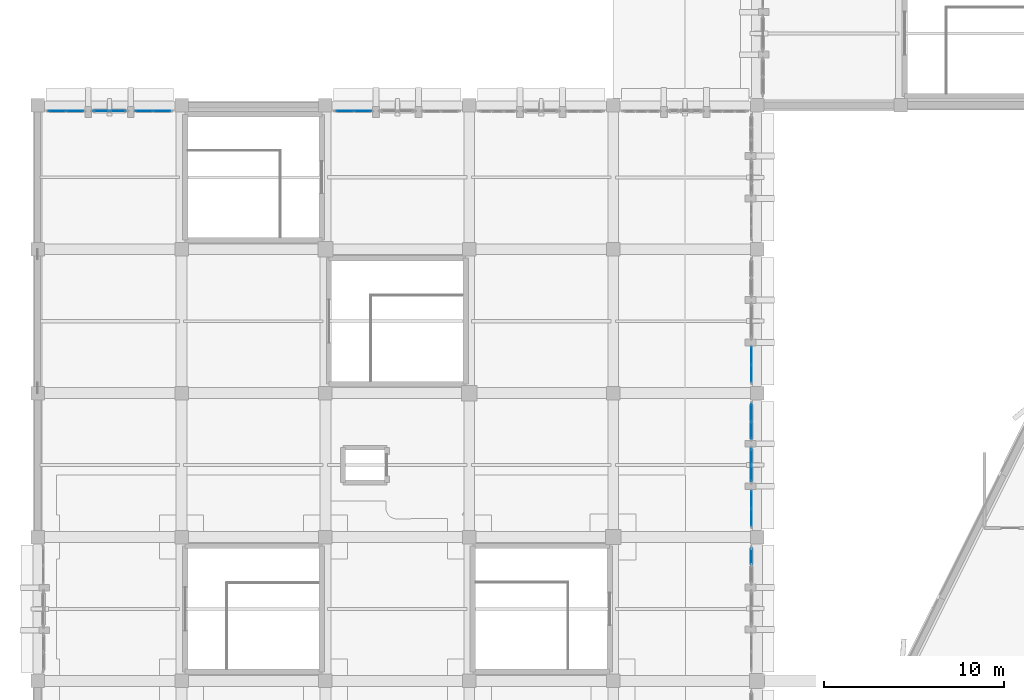
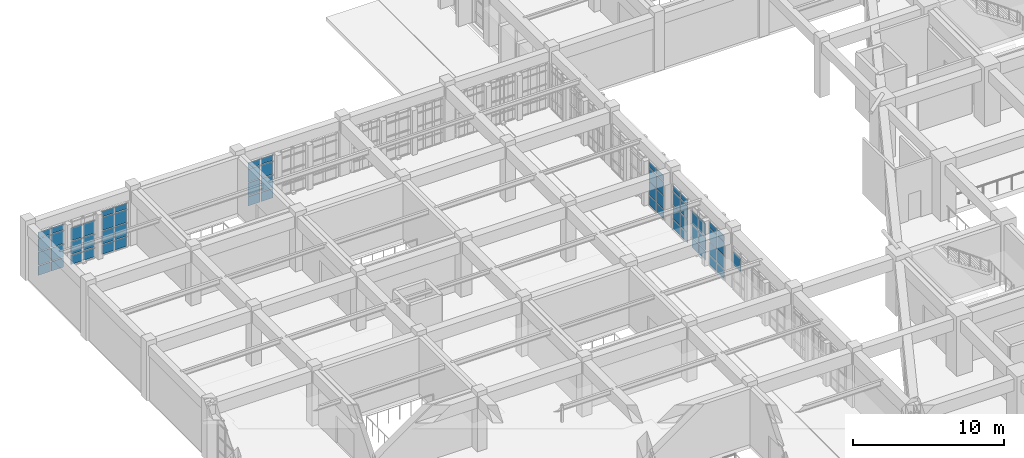
# One storey, part 100 of 155: 61 plates, 9 elements without a shape of their own.
"""IFC4 building model written with IfcOpenShell, lengths in metres."""

import ifcopenshell
import ifcopenshell.guid

model = None  # the IFC model being written
_history = None  # IfcOwnerHistory: only IFC2X3 demands one
_inside = {}  # id of a spatial element -> (the spatial element, [elements in it])
_under = {}  # id of a project, library or spatial element -> (it, [spatial elements below it])
_declared = {}  # id of a project -> (the project, [libraries it declares])
_typed = {}  # id of a type object -> (the type object, [elements of that type])
_made_of = {}  # id of a material, layer set ... -> (it, [elements and type objects made of it])


def new_model(schema):
    """Start an empty IFC model of exactly this schema.

    Asked for "IFC4X3", IfcOpenShell would pick the latest addendum, in which some entities
    have other attributes; the version numbers below select the first issue.
    IFC2X3 requires an IfcOwnerHistory on every rooted entity: one is made here for all.
    """
    global model, _history
    if schema == "IFC4X3":
        model = ifcopenshell.file(schema_version=(4, 3, 0, 0))
    else:
        model = ifcopenshell.file(schema=schema)
    _inside.clear()
    _under.clear()
    _declared.clear()
    _typed.clear()
    _made_of.clear()
    _history = None
    if model.schema == "IFC2X3":
        org = make("IfcOrganization", Name="unknown")
        user = make(
            "IfcPersonAndOrganization",
            ThePerson=make("IfcPerson", FamilyName="unknown"),
            TheOrganization=org,
        )
        app = make(
            "IfcApplication",
            ApplicationDeveloper=org,
            Version="unknown",
            ApplicationFullName="unknown",
            ApplicationIdentifier="unknown",
        )
        _history = make(
            "IfcOwnerHistory",
            OwningUser=user,
            OwningApplication=app,
            ChangeAction="ADDED",
            CreationDate=0,
        )
    return model


def make(cls, **values):
    """One entity of the class cls with the attributes given. An attribute that is None is left unset."""
    return model.create_entity(
        cls, **{name: value for name, value in values.items() if value is not None}
    )


def rooted(cls, **values):
    """An entity with a GlobalId (a new one), such as an element, a storey or a relation."""
    return make(cls, GlobalId=ifcopenshell.guid.new(), OwnerHistory=_history, **values)


def si_unit(unit_type, name, prefix=None):
    """IfcSIUnit, for example si_unit("LENGTHUNIT", "METRE", prefix="MILLI")."""
    return make("IfcSIUnit", UnitType=unit_type, Prefix=prefix, Name=name)


def assignment(units):
    """IfcUnitAssignment: the units of a project."""
    return None if units is None else make("IfcUnitAssignment", Units=units)


def point(xyz):
    """IfcCartesianPoint."""
    return None if xyz is None else make("IfcCartesianPoint", Coordinates=xyz)


def direction(xyz):
    """IfcDirection."""
    return None if xyz is None else make("IfcDirection", DirectionRatios=xyz)


def frame(location, z_axis=None, x_axis=None):
    """IfcAxis2Placement3D, a coordinate frame: its origin and axes. An axis left out is left unset."""
    return make(
        "IfcAxis2Placement3D",
        Location=point(location),
        Axis=direction(z_axis),
        RefDirection=direction(x_axis),
    )


def frame_2d(location, x_axis=None):
    """IfcAxis2Placement2D, a coordinate frame in the plane: its origin and x axis."""
    return make(
        "IfcAxis2Placement2D", Location=point(location), RefDirection=direction(x_axis)
    )


def origin():
    """The frame at (0, 0, 0) with its axes left unset."""
    return frame((0.0, 0.0, 0.0))


def origin_2d():
    """The frame at (0, 0) in the plane with its x axis left unset."""
    return frame_2d((0.0, 0.0))


def place(relative_to, where):
    """IfcLocalPlacement: puts the frame where relative to a parent placement (None: the world)."""
    return make(
        "IfcLocalPlacement", PlacementRelTo=relative_to, RelativePlacement=where
    )


def context(
    kind, dimensions, precision=None, world=None, true_north=None, identifier=None
):
    """IfcGeometricRepresentationContext, for example the 3D "Model" context."""
    return make(
        "IfcGeometricRepresentationContext",
        ContextIdentifier=identifier,
        ContextType=kind,
        CoordinateSpaceDimension=dimensions,
        Precision=precision,
        WorldCoordinateSystem=world,
        TrueNorth=true_north,
    )


def subcontext(parent, identifier, kind, view, scale=None):
    """IfcGeometricRepresentationSubContext, for example "Body" below "Model"."""
    return make(
        "IfcGeometricRepresentationSubContext",
        ContextIdentifier=identifier,
        ContextType=kind,
        ParentContext=parent,
        TargetScale=scale,
        TargetView=view,
    )


def project(units=None, contexts=None):
    """IfcProject with its units and contexts."""
    return rooted(
        "IfcProject",
        Name="project",
        RepresentationContexts=contexts,
        UnitsInContext=assignment(units),
    )


def spatial(cls, under=None, at=None, **own):
    """A site, building, storey or space (cls), placed at a placement, below another one or the project."""
    s = rooted(cls, ObjectPlacement=at, **own)
    if under is not None:
        _under.setdefault(under.id(), (under, []))[1].append(s)
    return s


def profile(cls, at=None, kind="AREA", **sizes):
    """A parametric profile (cls). Its sizes go by their IFC names, for example OverallWidth=200.0."""
    return make(cls, ProfileType=kind, Position=at, **sizes)


def rectangle(**sizes):
    """IfcRectangleProfileDef."""
    return profile("IfcRectangleProfileDef", **sizes)


def extrude(swept, where, along, depth):
    """IfcExtrudedAreaSolid: the profile swept, set in the frame where, extruded along a direction by depth."""
    return make(
        "IfcExtrudedAreaSolid",
        SweptArea=swept,
        Position=where,
        ExtrudedDirection=direction(along),
        Depth=depth,
    )


def shape(context_of_items, identifier, shape_type, items):
    """IfcShapeRepresentation: the items that make up one representation, for example the "Body"."""
    return make(
        "IfcShapeRepresentation",
        ContextOfItems=context_of_items,
        RepresentationIdentifier=identifier,
        RepresentationType=shape_type,
        Items=items,
    )


def material(Name=None, Category=None):
    """IfcMaterial."""
    return make("IfcMaterial", Name=Name, Category=Category)


def layer(
    of_material, thickness, ventilated=None, Name=None, Category=None, Priority=None
):
    """IfcMaterialLayer: one layer of a wall or slab, of a material (None: an air gap)."""
    return make(
        "IfcMaterialLayer",
        Material=of_material,
        LayerThickness=thickness,
        IsVentilated=ventilated,
        Name=Name,
        Category=Category,
        Priority=Priority,
    )


def layer_set(layers, Name=None):
    """IfcMaterialLayerSet."""
    return make("IfcMaterialLayerSet", MaterialLayers=layers, LayerSetName=Name)


def made_of(thing, what):
    """Note that an element or type object is made of a material, layer set ...; save() writes the relation."""
    if what is not None:
        _made_of.setdefault(what.id(), (what, []))[1].append(thing)
    return thing


def type_object(cls, material=None, **own):
    """A type object (cls), such as IfcWallType, which elements share."""
    return made_of(rooted(cls, **own), material)


def element(
    cls,
    number,
    at=None,
    inside=None,
    cuts=None,
    type_object=None,
    material=None,
    context=None,
    identifier="Body",
    shape_type=None,
    held_by="IfcProductDefinitionShape",
    body=None,
    shapes=None,
    **own,
):
    """One element of the class cls, such as IfcWall. Its Tag is "e" and its number.

    at: its placement. inside: the storey or other place that contains it. cuts: it is an
    opening in that element (IfcRelVoidsElement). A single representation is given by context,
    identifier, shape_type and body (its items); several are given by shapes. held_by: the class
    of the entity that holds the representations. save() writes the other relations.
    """
    e = rooted(cls, Tag="e%d" % number, ObjectPlacement=at, **own)
    if body is not None:
        shapes = [shape(context, identifier, shape_type, body)]
    if shapes is not None:
        e.Representation = make(held_by, Representations=shapes)
    if inside is not None:
        _inside.setdefault(inside.id(), (inside, []))[1].append(e)
    if cuts is not None:
        rooted(
            "IfcRelVoidsElement", RelatingBuildingElement=cuts, RelatedOpeningElement=e
        )
    if type_object is not None:
        _typed.setdefault(type_object.id(), (type_object, []))[1].append(e)
    return made_of(e, material)


def aggregate(whole, parts):
    """IfcRelAggregates: a whole, such as a stair, and the parts it consists of."""
    return rooted("IfcRelAggregates", RelatingObject=whole, RelatedObjects=parts)


def save(model, path):
    """Write the relations noted so far, then the file.

    IfcRelAggregates (storeys below a building ...), IfcRelContainedInSpatialStructure (elements
    in a storey), IfcRelDefinesByType, IfcRelAssociatesMaterial and IfcRelDeclares: one each for
    every whole, place, type object, material and project.
    """
    for whole, parts in _under.values():
        aggregate(whole, parts)
    for where, things in _inside.values():
        rooted(
            "IfcRelContainedInSpatialStructure",
            RelatedElements=things,
            RelatingStructure=where,
        )
    for kind, things in _typed.values():
        rooted("IfcRelDefinesByType", RelatedObjects=things, RelatingType=kind)
    for what, things in _made_of.values():
        rooted("IfcRelAssociatesMaterial", RelatedObjects=things, RelatingMaterial=what)
    for by, libraries in _declared.values():
        rooted("IfcRelDeclares", RelatingContext=by, RelatedDefinitions=libraries)
    model.write(path)


model = new_model("IFC4")

# Units and contexts
model_context = context("Model", 3, precision=1e-05, world=origin(), true_north=direction((0.0, 1.0)))
body_context = subcontext(model_context, "Body", "Model", "MODEL_VIEW")
ifc_project = project(units=[si_unit("LENGTHUNIT", "METRE"), si_unit("AREAUNIT", "SQUARE_METRE"), si_unit("VOLUMEUNIT", "CUBIC_METRE"), si_unit("PLANEANGLEUNIT", "RADIAN"), si_unit("MASSUNIT", "GRAM", prefix="KILO")], contexts=[model_context])

# Site, building, storey
site_placement = place(None, origin())
site = spatial("IfcSite", under=ifc_project, at=site_placement, CompositionType="ELEMENT")
building_placement = place(site_placement, origin())
building = spatial("IfcBuilding", under=site, at=building_placement, Name="Tazarka Park Arena", CompositionType="ELEMENT")
storey_placement = place(building_placement, frame((0.0, 0.0, 5.39990234375)))
storey = spatial("IfcBuildingStorey", under=building, at=storey_placement, Name="L01", CompositionType="ELEMENT", Elevation=5.39990234375)

# Curtain wall, plates
ifc_material_1 = material(Name="Aluminium and low-e glass", Category="aluminium")
ifc_layer_1 = layer(ifc_material_1, 0.179931640625, Name="Aluminium and low-e glass")
ifc_layer_set_1 = layer_set([ifc_layer_1], Name="Aluminium and low-e glass")
curtain_wall_type_1 = type_object("IfcCurtainWallType", Name="CW-27", PredefinedType="NOTDEFINED", material=ifc_layer_set_1)
curtain_wall_1_placement = place(storey_placement, origin())
curtain_wall_1 = element("IfcCurtainWall", 1, at=curtain_wall_1_placement, inside=storey, type_object=curtain_wall_type_1, Name="Curtain Wall CWA-L01-117", PredefinedType="NOTDEFINED")
ifc_material_2 = material(Name="Double low-e insulated glazing", Category="glass")
ifc_layer_2 = layer(ifc_material_2, 0.028076171875, Name="Double low-e insulated glazing")
ifc_layer_set_2 = layer_set([ifc_layer_2], Name="Double low-e insulated glazing")
plate_type_1 = type_object("IfcPlateType", Name="CWP-01", PredefinedType="CURTAIN_PANEL", material=ifc_layer_set_2)
plate_1_placement = place(storey_placement, frame((39.679931640625, 90.07861328125, 0.065185546875), z_axis=(0.0, 0.0, 1.0), x_axis=(0.0, -1.0, 0.0)))
plate_1 = element("IfcPlate", 2, at=plate_1_placement, type_object=plate_type_1, Name="CW-27 panel 1.1", PredefinedType="CURTAIN_PANEL", context=body_context, shape_type="SweptSolid", body=[
    extrude(rectangle(XDim=0.92919921875, YDim=0.028076171875, at=origin_2d()), origin(), (0.0, 0.0, 1.0), 0.75244140625),
])
plate_2_placement = place(storey_placement, frame((39.679931640625, 90.07861328125, 0.8828125), z_axis=(0.0, 0.0, 1.0), x_axis=(0.0, -1.0, 0.0)))
plate_2 = element("IfcPlate", 3, at=plate_2_placement, type_object=plate_type_1, Name="CW-27 panel 1.2", PredefinedType="CURTAIN_PANEL", context=body_context, shape_type="SweptSolid", body=[
    extrude(rectangle(XDim=0.92919921875, YDim=0.028076171875, at=origin_2d()), origin(), (0.0, 0.0, 1.0), 1.034912109375),
])
plate_3_placement = place(storey_placement, frame((39.679931640625, 90.07861328125, 1.982421875), z_axis=(0.0, 0.0, 1.0), x_axis=(0.0, -1.0, 0.0)))
plate_3 = element("IfcPlate", 4, at=plate_3_placement, type_object=plate_type_1, Name="CW-27 panel 1.3", PredefinedType="CURTAIN_PANEL", context=body_context, shape_type="SweptSolid", body=[
    extrude(rectangle(XDim=0.92919921875, YDim=0.028076171875, at=origin_2d()), origin(), (0.0, 0.0, 1.0), 1.034912109375),
])
plate_4_placement = place(storey_placement, frame((39.679931640625, 90.07861328125, 3.08251953125), z_axis=(0.0, 0.0, 1.0), x_axis=(0.0, -1.0, 0.0)))
plate_4 = element("IfcPlate", 5, at=plate_4_placement, type_object=plate_type_1, Name="CW-27 panel 1.4", PredefinedType="CURTAIN_PANEL", context=body_context, shape_type="SweptSolid", body=[
    extrude(rectangle(XDim=0.92919921875, YDim=0.028076171875, at=origin_2d()), origin(), (0.0, 0.0, 1.0), 0.452392578125),
])
plate_5_placement = place(storey_placement, frame((39.679931640625, 89.08447265625, 0.065185546875), z_axis=(0.0, 0.0, 1.0), x_axis=(0.0, -1.0, 0.0)))
plate_5 = element("IfcPlate", 6, at=plate_5_placement, type_object=plate_type_1, Name="CW-27 panel 2.1", PredefinedType="CURTAIN_PANEL", context=body_context, shape_type="SweptSolid", body=[
    extrude(rectangle(XDim=0.92919921875, YDim=0.028076171875, at=origin_2d()), origin(), (0.0, 0.0, 1.0), 0.75244140625),
])
plate_6_placement = place(storey_placement, frame((39.679931640625, 89.08447265625, 0.8828125), z_axis=(0.0, 0.0, 1.0), x_axis=(0.0, -1.0, 0.0)))
plate_6 = element("IfcPlate", 7, at=plate_6_placement, type_object=plate_type_1, Name="CW-27 panel 2.2", PredefinedType="CURTAIN_PANEL", context=body_context, shape_type="SweptSolid", body=[
    extrude(rectangle(XDim=0.92919921875, YDim=0.028076171875, at=origin_2d()), origin(), (0.0, 0.0, 1.0), 1.034912109375),
])
plate_7_placement = place(storey_placement, frame((39.679931640625, 89.08447265625, 1.982421875), z_axis=(0.0, 0.0, 1.0), x_axis=(0.0, -1.0, 0.0)))
plate_7 = element("IfcPlate", 8, at=plate_7_placement, type_object=plate_type_1, Name="CW-27 panel 2.3", PredefinedType="CURTAIN_PANEL", context=body_context, shape_type="SweptSolid", body=[
    extrude(rectangle(XDim=0.92919921875, YDim=0.028076171875, at=origin_2d()), origin(), (0.0, 0.0, 1.0), 1.034912109375),
])
plate_8_placement = place(storey_placement, frame((39.679931640625, 89.08447265625, 3.08251953125), z_axis=(0.0, 0.0, 1.0), x_axis=(0.0, -1.0, 0.0)))
plate_8 = element("IfcPlate", 9, at=plate_8_placement, type_object=plate_type_1, Name="CW-27 panel 2.4", PredefinedType="CURTAIN_PANEL", context=body_context, shape_type="SweptSolid", body=[
    extrude(rectangle(XDim=0.92919921875, YDim=0.028076171875, at=origin_2d()), origin(), (0.0, 0.0, 1.0), 0.452392578125),
])
aggregate(curtain_wall_1, [plate_1, plate_2, plate_3, plate_4, plate_5, plate_6, plate_7, plate_8])

ifc_material_3 = material(Name="Aluminium and low-e glass", Category="aluminium")
ifc_layer_3 = layer(ifc_material_3, 0.179931640625, Name="Aluminium and low-e glass")
ifc_layer_set_3 = layer_set([ifc_layer_3], Name="Aluminium and low-e glass")
curtain_wall_type_2 = type_object("IfcCurtainWallType", Name="CW-30", PredefinedType="NOTDEFINED", material=ifc_layer_set_3)
curtain_wall_2_placement = place(storey_placement, origin())
curtain_wall_2 = element("IfcCurtainWall", 10, at=curtain_wall_2_placement, inside=storey, type_object=curtain_wall_type_2, Name="Curtain Wall CWA-L01-120", PredefinedType="NOTDEFINED")
plate_9_placement = place(storey_placement, frame((39.679931640625, 98.07861328125, 0.065185546875), z_axis=(0.0, 0.0, 1.0), x_axis=(0.0, -1.0, 0.0)))
plate_9 = element("IfcPlate", 11, at=plate_9_placement, type_object=plate_type_1, Name="CW-30 panel 1.1", PredefinedType="CURTAIN_PANEL", context=body_context, shape_type="SweptSolid", body=[
    extrude(rectangle(XDim=0.92919921875, YDim=0.028076171875, at=origin_2d()), origin(), (0.0, 0.0, 1.0), 0.75244140625),
])
plate_10_placement = place(storey_placement, frame((39.679931640625, 98.07861328125, 0.8828125), z_axis=(0.0, 0.0, 1.0), x_axis=(0.0, -1.0, 0.0)))
plate_10 = element("IfcPlate", 12, at=plate_10_placement, type_object=plate_type_1, Name="CW-30 panel 1.2", PredefinedType="CURTAIN_PANEL", context=body_context, shape_type="SweptSolid", body=[
    extrude(rectangle(XDim=0.92919921875, YDim=0.028076171875, at=origin_2d()), origin(), (0.0, 0.0, 1.0), 1.034912109375),
])
plate_11_placement = place(storey_placement, frame((39.679931640625, 98.07861328125, 1.982421875), z_axis=(0.0, 0.0, 1.0), x_axis=(0.0, -1.0, 0.0)))
plate_11 = element("IfcPlate", 13, at=plate_11_placement, type_object=plate_type_1, Name="CW-30 panel 1.3", PredefinedType="CURTAIN_PANEL", context=body_context, shape_type="SweptSolid", body=[
    extrude(rectangle(XDim=0.92919921875, YDim=0.028076171875, at=origin_2d()), origin(), (0.0, 0.0, 1.0), 1.034912109375),
])
plate_12_placement = place(storey_placement, frame((39.679931640625, 98.07861328125, 3.08251953125), z_axis=(0.0, 0.0, 1.0), x_axis=(0.0, -1.0, 0.0)))
plate_12 = element("IfcPlate", 14, at=plate_12_placement, type_object=plate_type_1, Name="CW-30 panel 1.4", PredefinedType="CURTAIN_PANEL", context=body_context, shape_type="SweptSolid", body=[
    extrude(rectangle(XDim=0.92919921875, YDim=0.028076171875, at=origin_2d()), origin(), (0.0, 0.0, 1.0), 0.452392578125),
])
plate_13_placement = place(storey_placement, frame((39.679931640625, 97.08447265625, 0.065185546875), z_axis=(0.0, 0.0, 1.0), x_axis=(0.0, -1.0, 0.0)))
plate_13 = element("IfcPlate", 15, at=plate_13_placement, type_object=plate_type_1, Name="CW-30 panel 2.1", PredefinedType="CURTAIN_PANEL", context=body_context, shape_type="SweptSolid", body=[
    extrude(rectangle(XDim=0.92919921875, YDim=0.028076171875, at=origin_2d()), origin(), (0.0, 0.0, 1.0), 0.75244140625),
])
plate_14_placement = place(storey_placement, frame((39.679931640625, 97.08447265625, 0.8828125), z_axis=(0.0, 0.0, 1.0), x_axis=(0.0, -1.0, 0.0)))
plate_14 = element("IfcPlate", 16, at=plate_14_placement, type_object=plate_type_1, Name="CW-30 panel 2.2", PredefinedType="CURTAIN_PANEL", context=body_context, shape_type="SweptSolid", body=[
    extrude(rectangle(XDim=0.92919921875, YDim=0.028076171875, at=origin_2d()), origin(), (0.0, 0.0, 1.0), 1.034912109375),
])
plate_15_placement = place(storey_placement, frame((39.679931640625, 97.08447265625, 1.982421875), z_axis=(0.0, 0.0, 1.0), x_axis=(0.0, -1.0, 0.0)))
plate_15 = element("IfcPlate", 17, at=plate_15_placement, type_object=plate_type_1, Name="CW-30 panel 2.3", PredefinedType="CURTAIN_PANEL", context=body_context, shape_type="SweptSolid", body=[
    extrude(rectangle(XDim=0.92919921875, YDim=0.028076171875, at=origin_2d()), origin(), (0.0, 0.0, 1.0), 1.034912109375),
])
plate_16_placement = place(storey_placement, frame((39.679931640625, 97.08447265625, 3.08251953125), z_axis=(0.0, 0.0, 1.0), x_axis=(0.0, -1.0, 0.0)))
plate_16 = element("IfcPlate", 18, at=plate_16_placement, type_object=plate_type_1, Name="CW-30 panel 2.4", PredefinedType="CURTAIN_PANEL", context=body_context, shape_type="SweptSolid", body=[
    extrude(rectangle(XDim=0.92919921875, YDim=0.028076171875, at=origin_2d()), origin(), (0.0, 0.0, 1.0), 0.452392578125),
])
aggregate(curtain_wall_2, [plate_9, plate_10, plate_11, plate_12, plate_13, plate_14, plate_15, plate_16])

ifc_material_4 = material(Name="Aluminium and low-e glass", Category="aluminium")
ifc_layer_4 = layer(ifc_material_4, 0.179931640625, Name="Aluminium and low-e glass")
ifc_layer_set_4 = layer_set([ifc_layer_4], Name="Aluminium and low-e glass")
curtain_wall_type_3 = type_object("IfcCurtainWallType", Name="CW-15", PredefinedType="NOTDEFINED", material=ifc_layer_set_4)
curtain_wall_3_placement = place(storey_placement, origin())
curtain_wall_3 = element("IfcCurtainWall", 19, at=curtain_wall_3_placement, inside=storey, type_object=curtain_wall_type_3, Name="Curtain Wall CWA-L01-135", PredefinedType="NOTDEFINED")
plate_17_placement = place(storey_placement, frame((5.92138671875, 111.679931640625, 0.065185546875), z_axis=(0.0, 0.0, 1.0), x_axis=(1.0, 0.0, 0.0)))
plate_17 = element("IfcPlate", 20, at=plate_17_placement, type_object=plate_type_1, Name="CW-15 panel 1.1", PredefinedType="CURTAIN_PANEL", context=body_context, shape_type="SweptSolid", body=[
    extrude(rectangle(XDim=0.92919921875, YDim=0.028076171875, at=origin_2d()), origin(), (0.0, 0.0, 1.0), 0.75244140625),
])
plate_18_placement = place(storey_placement, frame((5.92138671875, 111.679931640625, 0.8828125), z_axis=(0.0, 0.0, 1.0), x_axis=(1.0, 0.0, 0.0)))
plate_18 = element("IfcPlate", 21, at=plate_18_placement, type_object=plate_type_1, Name="CW-15 panel 1.2", PredefinedType="CURTAIN_PANEL", context=body_context, shape_type="SweptSolid", body=[
    extrude(rectangle(XDim=0.92919921875, YDim=0.028076171875, at=origin_2d()), origin(), (0.0, 0.0, 1.0), 1.034912109375),
])
plate_19_placement = place(storey_placement, frame((5.92138671875, 111.679931640625, 1.982421875), z_axis=(0.0, 0.0, 1.0), x_axis=(1.0, 0.0, 0.0)))
plate_19 = element("IfcPlate", 22, at=plate_19_placement, type_object=plate_type_1, Name="CW-15 panel 1.3", PredefinedType="CURTAIN_PANEL", context=body_context, shape_type="SweptSolid", body=[
    extrude(rectangle(XDim=0.92919921875, YDim=0.028076171875, at=origin_2d()), origin(), (0.0, 0.0, 1.0), 1.034912109375),
])
plate_20_placement = place(storey_placement, frame((5.92138671875, 111.679931640625, 3.08251953125), z_axis=(0.0, 0.0, 1.0), x_axis=(1.0, 0.0, 0.0)))
plate_20 = element("IfcPlate", 23, at=plate_20_placement, type_object=plate_type_1, Name="CW-15 panel 1.4", PredefinedType="CURTAIN_PANEL", context=body_context, shape_type="SweptSolid", body=[
    extrude(rectangle(XDim=0.92919921875, YDim=0.028076171875, at=origin_2d()), origin(), (0.0, 0.0, 1.0), 0.452392578125),
])
plate_21_placement = place(storey_placement, frame((6.91552734375, 111.679931640625, 0.065185546875), z_axis=(0.0, 0.0, 1.0), x_axis=(1.0, 0.0, 0.0)))
plate_21 = element("IfcPlate", 24, at=plate_21_placement, type_object=plate_type_1, Name="CW-15 panel 2.1", PredefinedType="CURTAIN_PANEL", context=body_context, shape_type="SweptSolid", body=[
    extrude(rectangle(XDim=0.92919921875, YDim=0.028076171875, at=origin_2d()), origin(), (0.0, 0.0, 1.0), 0.75244140625),
])
plate_22_placement = place(storey_placement, frame((6.91552734375, 111.679931640625, 0.8828125), z_axis=(0.0, 0.0, 1.0), x_axis=(1.0, 0.0, 0.0)))
plate_22 = element("IfcPlate", 25, at=plate_22_placement, type_object=plate_type_1, Name="CW-15 panel 2.2", PredefinedType="CURTAIN_PANEL", context=body_context, shape_type="SweptSolid", body=[
    extrude(rectangle(XDim=0.92919921875, YDim=0.028076171875, at=origin_2d()), origin(), (0.0, 0.0, 1.0), 1.034912109375),
])
plate_23_placement = place(storey_placement, frame((6.91552734375, 111.679931640625, 1.982421875), z_axis=(0.0, 0.0, 1.0), x_axis=(1.0, 0.0, 0.0)))
plate_23 = element("IfcPlate", 26, at=plate_23_placement, type_object=plate_type_1, Name="CW-15 panel 2.3", PredefinedType="CURTAIN_PANEL", context=body_context, shape_type="SweptSolid", body=[
    extrude(rectangle(XDim=0.92919921875, YDim=0.028076171875, at=origin_2d()), origin(), (0.0, 0.0, 1.0), 1.034912109375),
])
plate_24_placement = place(storey_placement, frame((6.91552734375, 111.679931640625, 3.08251953125), z_axis=(0.0, 0.0, 1.0), x_axis=(1.0, 0.0, 0.0)))
plate_24 = element("IfcPlate", 27, at=plate_24_placement, type_object=plate_type_1, Name="CW-15 panel 2.4", PredefinedType="CURTAIN_PANEL", context=body_context, shape_type="SweptSolid", body=[
    extrude(rectangle(XDim=0.92919921875, YDim=0.028076171875, at=origin_2d()), origin(), (0.0, 0.0, 1.0), 0.452392578125),
])
aggregate(curtain_wall_3, [plate_17, plate_18, plate_19, plate_20, plate_21, plate_22, plate_23, plate_24])

# Curtain wall, plate
ifc_material_5 = material(Name="Aluminium and low-e glass", Category="aluminium")
ifc_layer_5 = layer(ifc_material_5, 0.179931640625, Name="Aluminium and low-e glass")
ifc_layer_set_5 = layer_set([ifc_layer_5], Name="Aluminium and low-e glass")
curtain_wall_type_4 = type_object("IfcCurtainWallType", Name="CW-22", PredefinedType="NOTDEFINED", material=ifc_layer_set_5)
curtain_wall_4_placement = place(storey_placement, origin())
curtain_wall_4 = element("IfcCurtainWall", 28, at=curtain_wall_4_placement, inside=storey, type_object=curtain_wall_type_4, Name="Curtain Wall CWA-L01-112", PredefinedType="NOTDEFINED")
ifc_material_6 = material(Name="Triple acoustic solar glazing", Category="glass")
ifc_layer_6 = layer(ifc_material_6, 0.031982421875, Name="Triple acoustic solar glazing")
ifc_layer_set_6 = layer_set([ifc_layer_6], Name="Triple acoustic solar glazing")
plate_type_2 = type_object("IfcPlateType", Name="CWP-02", PredefinedType="CURTAIN_PANEL", material=ifc_layer_set_6)
plate_25_placement = place(storey_placement, frame((39.679931640625, 86.919677734375, 1.982421875), z_axis=(0.0, 0.0, 1.0), x_axis=(0.0, -1.0, 0.0)))
plate_25 = element("IfcPlate", 29, at=plate_25_placement, type_object=plate_type_2, Name="CW-22 panel 1.3", PredefinedType="CURTAIN_PANEL", context=body_context, shape_type="SweptSolid", body=[
    extrude(rectangle(XDim=0.9208984375, YDim=0.031982421875, at=origin_2d()), origin(), (0.0, 0.0, 1.0), 1.034912109375),
])
aggregate(curtain_wall_4, [plate_25])

# Curtain wall, plates
ifc_material_7 = material(Name="Aluminium and low-e glass", Category="aluminium")
ifc_layer_7 = layer(ifc_material_7, 0.179931640625, Name="Aluminium and low-e glass")
ifc_layer_set_7 = layer_set([ifc_layer_7], Name="Aluminium and low-e glass")
curtain_wall_type_5 = type_object("IfcCurtainWallType", Name="CW-25", PredefinedType="NOTDEFINED", material=ifc_layer_set_7)
curtain_wall_5_placement = place(storey_placement, origin())
curtain_wall_5 = element("IfcCurtainWall", 30, at=curtain_wall_5_placement, inside=storey, type_object=curtain_wall_type_5, Name="Curtain Wall CWA-L01-115", PredefinedType="NOTDEFINED")
plate_26_placement = place(storey_placement, frame((39.679931640625, 94.91552734375, 0.065185546875), z_axis=(0.0, 0.0, 1.0), x_axis=(0.0, -1.0, 0.0)))
plate_26 = element("IfcPlate", 31, at=plate_26_placement, type_object=plate_type_2, Name="CW-25 panel 1.1", PredefinedType="CURTAIN_PANEL", context=body_context, shape_type="SweptSolid", body=[
    extrude(rectangle(XDim=0.92919921875, YDim=0.031982421875, at=origin_2d()), origin(), (0.0, 0.0, 1.0), 0.75244140625),
])
plate_27_placement = place(storey_placement, frame((39.679931640625, 94.91552734375, 0.8828125), z_axis=(0.0, 0.0, 1.0), x_axis=(0.0, -1.0, 0.0)))
plate_27 = element("IfcPlate", 32, at=plate_27_placement, type_object=plate_type_2, Name="CW-25 panel 1.2", PredefinedType="CURTAIN_PANEL", context=body_context, shape_type="SweptSolid", body=[
    extrude(rectangle(XDim=0.92919921875, YDim=0.031982421875, at=origin_2d()), origin(), (0.0, 0.0, 1.0), 1.034912109375),
])
plate_28_placement = place(storey_placement, frame((39.679931640625, 94.91552734375, 1.982421875), z_axis=(0.0, 0.0, 1.0), x_axis=(0.0, -1.0, 0.0)))
plate_28 = element("IfcPlate", 33, at=plate_28_placement, type_object=plate_type_2, Name="CW-25 panel 1.3", PredefinedType="CURTAIN_PANEL", context=body_context, shape_type="SweptSolid", body=[
    extrude(rectangle(XDim=0.92919921875, YDim=0.031982421875, at=origin_2d()), origin(), (0.0, 0.0, 1.0), 1.034912109375),
])
plate_29_placement = place(storey_placement, frame((39.679931640625, 94.91552734375, 3.08251953125), z_axis=(0.0, 0.0, 1.0), x_axis=(0.0, -1.0, 0.0)))
plate_29 = element("IfcPlate", 34, at=plate_29_placement, type_object=plate_type_2, Name="CW-25 panel 1.4", PredefinedType="CURTAIN_PANEL", context=body_context, shape_type="SweptSolid", body=[
    extrude(rectangle(XDim=0.92919921875, YDim=0.031982421875, at=origin_2d()), origin(), (0.0, 0.0, 1.0), 0.452392578125),
])
plate_30_placement = place(storey_placement, frame((39.679931640625, 93.92138671875, 0.065185546875), z_axis=(0.0, 0.0, 1.0), x_axis=(0.0, -1.0, 0.0)))
plate_30 = element("IfcPlate", 35, at=plate_30_placement, type_object=plate_type_2, Name="CW-25 panel 2.1", PredefinedType="CURTAIN_PANEL", context=body_context, shape_type="SweptSolid", body=[
    extrude(rectangle(XDim=0.92919921875, YDim=0.031982421875, at=origin_2d()), origin(), (0.0, 0.0, 1.0), 0.75244140625),
])
plate_31_placement = place(storey_placement, frame((39.679931640625, 93.92138671875, 0.8828125), z_axis=(0.0, 0.0, 1.0), x_axis=(0.0, -1.0, 0.0)))
plate_31 = element("IfcPlate", 36, at=plate_31_placement, type_object=plate_type_2, Name="CW-25 panel 2.2", PredefinedType="CURTAIN_PANEL", context=body_context, shape_type="SweptSolid", body=[
    extrude(rectangle(XDim=0.92919921875, YDim=0.031982421875, at=origin_2d()), origin(), (0.0, 0.0, 1.0), 1.034912109375),
])
plate_32_placement = place(storey_placement, frame((39.679931640625, 93.92138671875, 1.982421875), z_axis=(0.0, 0.0, 1.0), x_axis=(0.0, -1.0, 0.0)))
plate_32 = element("IfcPlate", 37, at=plate_32_placement, type_object=plate_type_2, Name="CW-25 panel 2.3", PredefinedType="CURTAIN_PANEL", context=body_context, shape_type="SweptSolid", body=[
    extrude(rectangle(XDim=0.92919921875, YDim=0.031982421875, at=origin_2d()), origin(), (0.0, 0.0, 1.0), 1.034912109375),
])
plate_33_placement = place(storey_placement, frame((39.679931640625, 93.92138671875, 3.08251953125), z_axis=(0.0, 0.0, 1.0), x_axis=(0.0, -1.0, 0.0)))
plate_33 = element("IfcPlate", 38, at=plate_33_placement, type_object=plate_type_2, Name="CW-25 panel 2.4", PredefinedType="CURTAIN_PANEL", context=body_context, shape_type="SweptSolid", body=[
    extrude(rectangle(XDim=0.92919921875, YDim=0.031982421875, at=origin_2d()), origin(), (0.0, 0.0, 1.0), 0.452392578125),
])
aggregate(curtain_wall_5, [plate_26, plate_27, plate_28, plate_29, plate_30, plate_31, plate_32, plate_33])

ifc_material_8 = material(Name="Aluminium and low-e glass", Category="aluminium")
ifc_layer_8 = layer(ifc_material_8, 0.179931640625, Name="Aluminium and low-e glass")
ifc_layer_set_8 = layer_set([ifc_layer_8], Name="Aluminium and low-e glass")
curtain_wall_type_6 = type_object("IfcCurtainWallType", Name="CW-10", PredefinedType="NOTDEFINED", material=ifc_layer_set_8)
curtain_wall_6_placement = place(storey_placement, origin())
curtain_wall_6 = element("IfcCurtainWall", 39, at=curtain_wall_6_placement, inside=storey, type_object=curtain_wall_type_6, Name="Curtain Wall CWA-L01-130", PredefinedType="NOTDEFINED")
plate_34_placement = place(storey_placement, frame((17.08447265625, 111.679931640625, 0.065185546875), z_axis=(0.0, 0.0, 1.0), x_axis=(1.0, 0.0, 0.0)))
plate_34 = element("IfcPlate", 40, at=plate_34_placement, type_object=plate_type_2, Name="CW-10 panel 1.1", PredefinedType="CURTAIN_PANEL", context=body_context, shape_type="SweptSolid", body=[
    extrude(rectangle(XDim=0.92919921875, YDim=0.031982421875, at=origin_2d()), origin(), (0.0, 0.0, 1.0), 0.75244140625),
])
plate_35_placement = place(storey_placement, frame((17.08447265625, 111.679931640625, 0.8828125), z_axis=(0.0, 0.0, 1.0), x_axis=(1.0, 0.0, 0.0)))
plate_35 = element("IfcPlate", 41, at=plate_35_placement, type_object=plate_type_2, Name="CW-10 panel 1.2", PredefinedType="CURTAIN_PANEL", context=body_context, shape_type="SweptSolid", body=[
    extrude(rectangle(XDim=0.92919921875, YDim=0.031982421875, at=origin_2d()), origin(), (0.0, 0.0, 1.0), 1.034912109375),
])
plate_36_placement = place(storey_placement, frame((17.08447265625, 111.679931640625, 1.982421875), z_axis=(0.0, 0.0, 1.0), x_axis=(1.0, 0.0, 0.0)))
plate_36 = element("IfcPlate", 42, at=plate_36_placement, type_object=plate_type_2, Name="CW-10 panel 1.3", PredefinedType="CURTAIN_PANEL", context=body_context, shape_type="SweptSolid", body=[
    extrude(rectangle(XDim=0.92919921875, YDim=0.031982421875, at=origin_2d()), origin(), (0.0, 0.0, 1.0), 1.034912109375),
])
plate_37_placement = place(storey_placement, frame((17.08447265625, 111.679931640625, 3.08251953125), z_axis=(0.0, 0.0, 1.0), x_axis=(1.0, 0.0, 0.0)))
plate_37 = element("IfcPlate", 43, at=plate_37_placement, type_object=plate_type_2, Name="CW-10 panel 1.4", PredefinedType="CURTAIN_PANEL", context=body_context, shape_type="SweptSolid", body=[
    extrude(rectangle(XDim=0.92919921875, YDim=0.031982421875, at=origin_2d()), origin(), (0.0, 0.0, 1.0), 0.452392578125),
])
plate_38_placement = place(storey_placement, frame((18.07861328125, 111.679931640625, 0.065185546875), z_axis=(0.0, 0.0, 1.0), x_axis=(1.0, 0.0, 0.0)))
plate_38 = element("IfcPlate", 44, at=plate_38_placement, type_object=plate_type_2, Name="CW-10 panel 2.1", PredefinedType="CURTAIN_PANEL", context=body_context, shape_type="SweptSolid", body=[
    extrude(rectangle(XDim=0.92919921875, YDim=0.031982421875, at=origin_2d()), origin(), (0.0, 0.0, 1.0), 0.75244140625),
])
plate_39_placement = place(storey_placement, frame((18.07861328125, 111.679931640625, 0.8828125), z_axis=(0.0, 0.0, 1.0), x_axis=(1.0, 0.0, 0.0)))
plate_39 = element("IfcPlate", 45, at=plate_39_placement, type_object=plate_type_2, Name="CW-10 panel 2.2", PredefinedType="CURTAIN_PANEL", context=body_context, shape_type="SweptSolid", body=[
    extrude(rectangle(XDim=0.92919921875, YDim=0.031982421875, at=origin_2d()), origin(), (0.0, 0.0, 1.0), 1.034912109375),
])
plate_40_placement = place(storey_placement, frame((18.07861328125, 111.679931640625, 1.982421875), z_axis=(0.0, 0.0, 1.0), x_axis=(1.0, 0.0, 0.0)))
plate_40 = element("IfcPlate", 46, at=plate_40_placement, type_object=plate_type_2, Name="CW-10 panel 2.3", PredefinedType="CURTAIN_PANEL", context=body_context, shape_type="SweptSolid", body=[
    extrude(rectangle(XDim=0.92919921875, YDim=0.031982421875, at=origin_2d()), origin(), (0.0, 0.0, 1.0), 1.034912109375),
])
plate_41_placement = place(storey_placement, frame((18.07861328125, 111.679931640625, 3.08251953125), z_axis=(0.0, 0.0, 1.0), x_axis=(1.0, 0.0, 0.0)))
plate_41 = element("IfcPlate", 47, at=plate_41_placement, type_object=plate_type_2, Name="CW-10 panel 2.4", PredefinedType="CURTAIN_PANEL", context=body_context, shape_type="SweptSolid", body=[
    extrude(rectangle(XDim=0.92919921875, YDim=0.031982421875, at=origin_2d()), origin(), (0.0, 0.0, 1.0), 0.452392578125),
])
aggregate(curtain_wall_6, [plate_34, plate_35, plate_36, plate_37, plate_38, plate_39, plate_40, plate_41])

ifc_material_9 = material(Name="Aluminium and low-e glass", Category="aluminium")
ifc_layer_9 = layer(ifc_material_9, 0.179931640625, Name="Aluminium and low-e glass")
ifc_layer_set_9 = layer_set([ifc_layer_9], Name="Aluminium and low-e glass")
curtain_wall_type_7 = type_object("IfcCurtainWallType", Name="CW-13", PredefinedType="NOTDEFINED", material=ifc_layer_set_9)
curtain_wall_7_placement = place(storey_placement, origin())
curtain_wall_7 = element("IfcCurtainWall", 48, at=curtain_wall_7_placement, inside=storey, type_object=curtain_wall_type_7, Name="Curtain Wall CWA-L01-133", PredefinedType="NOTDEFINED")
plate_42_placement = place(storey_placement, frame((1.08447265625, 111.679931640625, 0.065185546875), z_axis=(0.0, 0.0, 1.0), x_axis=(1.0, 0.0, 0.0)))
plate_42 = element("IfcPlate", 49, at=plate_42_placement, type_object=plate_type_2, Name="CW-13 panel 1.1", PredefinedType="CURTAIN_PANEL", context=body_context, shape_type="SweptSolid", body=[
    extrude(rectangle(XDim=0.92919921875, YDim=0.031982421875, at=origin_2d()), origin(), (0.0, 0.0, 1.0), 0.75244140625),
])
plate_43_placement = place(storey_placement, frame((1.08447265625, 111.679931640625, 0.8828125), z_axis=(0.0, 0.0, 1.0), x_axis=(1.0, 0.0, 0.0)))
plate_43 = element("IfcPlate", 50, at=plate_43_placement, type_object=plate_type_2, Name="CW-13 panel 1.2", PredefinedType="CURTAIN_PANEL", context=body_context, shape_type="SweptSolid", body=[
    extrude(rectangle(XDim=0.92919921875, YDim=0.031982421875, at=origin_2d()), origin(), (0.0, 0.0, 1.0), 1.034912109375),
])
plate_44_placement = place(storey_placement, frame((1.08447265625, 111.679931640625, 1.982421875), z_axis=(0.0, 0.0, 1.0), x_axis=(1.0, 0.0, 0.0)))
plate_44 = element("IfcPlate", 51, at=plate_44_placement, type_object=plate_type_2, Name="CW-13 panel 1.3", PredefinedType="CURTAIN_PANEL", context=body_context, shape_type="SweptSolid", body=[
    extrude(rectangle(XDim=0.92919921875, YDim=0.031982421875, at=origin_2d()), origin(), (0.0, 0.0, 1.0), 1.034912109375),
])
plate_45_placement = place(storey_placement, frame((1.08447265625, 111.679931640625, 3.08251953125), z_axis=(0.0, 0.0, 1.0), x_axis=(1.0, 0.0, 0.0)))
plate_45 = element("IfcPlate", 52, at=plate_45_placement, type_object=plate_type_2, Name="CW-13 panel 1.4", PredefinedType="CURTAIN_PANEL", context=body_context, shape_type="SweptSolid", body=[
    extrude(rectangle(XDim=0.92919921875, YDim=0.031982421875, at=origin_2d()), origin(), (0.0, 0.0, 1.0), 0.452392578125),
])
plate_46_placement = place(storey_placement, frame((2.07861328125, 111.679931640625, 0.065185546875), z_axis=(0.0, 0.0, 1.0), x_axis=(1.0, 0.0, 0.0)))
plate_46 = element("IfcPlate", 53, at=plate_46_placement, type_object=plate_type_2, Name="CW-13 panel 2.1", PredefinedType="CURTAIN_PANEL", context=body_context, shape_type="SweptSolid", body=[
    extrude(rectangle(XDim=0.92919921875, YDim=0.031982421875, at=origin_2d()), origin(), (0.0, 0.0, 1.0), 0.75244140625),
])
plate_47_placement = place(storey_placement, frame((2.07861328125, 111.679931640625, 0.8828125), z_axis=(0.0, 0.0, 1.0), x_axis=(1.0, 0.0, 0.0)))
plate_47 = element("IfcPlate", 54, at=plate_47_placement, type_object=plate_type_2, Name="CW-13 panel 2.2", PredefinedType="CURTAIN_PANEL", context=body_context, shape_type="SweptSolid", body=[
    extrude(rectangle(XDim=0.92919921875, YDim=0.031982421875, at=origin_2d()), origin(), (0.0, 0.0, 1.0), 1.034912109375),
])
plate_48_placement = place(storey_placement, frame((2.07861328125, 111.679931640625, 1.982421875), z_axis=(0.0, 0.0, 1.0), x_axis=(1.0, 0.0, 0.0)))
plate_48 = element("IfcPlate", 55, at=plate_48_placement, type_object=plate_type_2, Name="CW-13 panel 2.3", PredefinedType="CURTAIN_PANEL", context=body_context, shape_type="SweptSolid", body=[
    extrude(rectangle(XDim=0.92919921875, YDim=0.031982421875, at=origin_2d()), origin(), (0.0, 0.0, 1.0), 1.034912109375),
])
plate_49_placement = place(storey_placement, frame((2.07861328125, 111.679931640625, 3.08251953125), z_axis=(0.0, 0.0, 1.0), x_axis=(1.0, 0.0, 0.0)))
plate_49 = element("IfcPlate", 56, at=plate_49_placement, type_object=plate_type_2, Name="CW-13 panel 2.4", PredefinedType="CURTAIN_PANEL", context=body_context, shape_type="SweptSolid", body=[
    extrude(rectangle(XDim=0.92919921875, YDim=0.031982421875, at=origin_2d()), origin(), (0.0, 0.0, 1.0), 0.452392578125),
])
aggregate(curtain_wall_7, [plate_42, plate_43, plate_44, plate_45, plate_46, plate_47, plate_48, plate_49])

ifc_material_10 = material(Name="Aluminium and low-e glass", Category="aluminium")
ifc_layer_10 = layer(ifc_material_10, 0.179931640625, Name="Aluminium and low-e glass")
ifc_layer_set_10 = layer_set([ifc_layer_10], Name="Aluminium and low-e glass")
curtain_wall_type_8 = type_object("IfcCurtainWallType", Name="CW-26", PredefinedType="NOTDEFINED", material=ifc_layer_set_10)
curtain_wall_8_placement = place(storey_placement, origin())
curtain_wall_8 = element("IfcCurtainWall", 57, at=curtain_wall_8_placement, inside=storey, type_object=curtain_wall_type_8, Name="Curtain Wall CWA-L01-116", PredefinedType="NOTDEFINED")
ifc_material_11 = material(Name="Insulated aluminium spandrel panel", Category="aluminium")
ifc_layer_11 = layer(ifc_material_11, 0.035888671875, Name="Insulated aluminium spandrel panel")
ifc_layer_set_11 = layer_set([ifc_layer_11], Name="Insulated aluminium spandrel panel")
plate_type_3 = type_object("IfcPlateType", Name="CWP-03", PredefinedType="CURTAIN_PANEL", material=ifc_layer_set_11)
plate_50_placement = place(storey_placement, frame((39.679931640625, 92.467041015625, 0.0751953125), z_axis=(0.0, 0.0, 1.0), x_axis=(0.0, -1.0, 0.0)))
plate_50 = element("IfcPlate", 58, at=plate_50_placement, type_object=plate_type_3, Name="CW-26 panel 1.1", PredefinedType="CURTAIN_PANEL", context=body_context, shape_type="SweptSolid", body=[
    extrude(rectangle(XDim=0.859130859375, YDim=0.035888671875, at=origin_2d()), origin(), (0.0, 0.0, 1.0), 0.737548828125),
])
plate_51_placement = place(storey_placement, frame((39.679931640625, 92.467041015625, 0.8876953125), z_axis=(0.0, 0.0, 1.0), x_axis=(0.0, -1.0, 0.0)))
plate_51 = element("IfcPlate", 59, at=plate_51_placement, type_object=plate_type_3, Name="CW-26 panel 1.2", PredefinedType="CURTAIN_PANEL", context=body_context, shape_type="SweptSolid", body=[
    extrude(rectangle(XDim=0.859130859375, YDim=0.035888671875, at=origin_2d()), origin(), (0.0, 0.0, 1.0), 1.02490234375),
])
plate_52_placement = place(storey_placement, frame((39.679931640625, 92.467041015625, 1.987548828125), z_axis=(0.0, 0.0, 1.0), x_axis=(0.0, -1.0, 0.0)))
plate_52 = element("IfcPlate", 60, at=plate_52_placement, type_object=plate_type_3, Name="CW-26 panel 1.3", PredefinedType="CURTAIN_PANEL", context=body_context, shape_type="SweptSolid", body=[
    extrude(rectangle(XDim=0.859130859375, YDim=0.035888671875, at=origin_2d()), origin(), (0.0, 0.0, 1.0), 1.02490234375),
])
plate_53_placement = place(storey_placement, frame((39.679931640625, 91.532958984375, 0.0751953125), z_axis=(0.0, 0.0, 1.0), x_axis=(0.0, -1.0, 0.0)))
plate_53 = element("IfcPlate", 61, at=plate_53_placement, type_object=plate_type_3, Name="CW-26 panel 2.1", PredefinedType="CURTAIN_PANEL", context=body_context, shape_type="SweptSolid", body=[
    extrude(rectangle(XDim=0.859130859375, YDim=0.035888671875, at=origin_2d()), origin(), (0.0, 0.0, 1.0), 0.737548828125),
])
plate_54_placement = place(storey_placement, frame((39.679931640625, 91.532958984375, 0.8876953125), z_axis=(0.0, 0.0, 1.0), x_axis=(0.0, -1.0, 0.0)))
plate_54 = element("IfcPlate", 62, at=plate_54_placement, type_object=plate_type_3, Name="CW-26 panel 2.2", PredefinedType="CURTAIN_PANEL", context=body_context, shape_type="SweptSolid", body=[
    extrude(rectangle(XDim=0.859130859375, YDim=0.035888671875, at=origin_2d()), origin(), (0.0, 0.0, 1.0), 1.02490234375),
])
plate_55_placement = place(storey_placement, frame((39.679931640625, 91.532958984375, 1.987548828125), z_axis=(0.0, 0.0, 1.0), x_axis=(0.0, -1.0, 0.0)))
plate_55 = element("IfcPlate", 63, at=plate_55_placement, type_object=plate_type_3, Name="CW-26 panel 2.3", PredefinedType="CURTAIN_PANEL", context=body_context, shape_type="SweptSolid", body=[
    extrude(rectangle(XDim=0.859130859375, YDim=0.035888671875, at=origin_2d()), origin(), (0.0, 0.0, 1.0), 1.02490234375),
])
aggregate(curtain_wall_8, [plate_50, plate_51, plate_52, plate_53, plate_54, plate_55])

ifc_material_12 = material(Name="Aluminium and low-e glass", Category="aluminium")
ifc_layer_12 = layer(ifc_material_12, 0.179931640625, Name="Aluminium and low-e glass")
ifc_layer_set_12 = layer_set([ifc_layer_12], Name="Aluminium and low-e glass")
curtain_wall_type_9 = type_object("IfcCurtainWallType", Name="CW-14", PredefinedType="NOTDEFINED", material=ifc_layer_set_12)
curtain_wall_9_placement = place(storey_placement, origin())
curtain_wall_9 = element("IfcCurtainWall", 64, at=curtain_wall_9_placement, inside=storey, type_object=curtain_wall_type_9, Name="Curtain Wall CWA-L01-134", PredefinedType="NOTDEFINED")
plate_56_placement = place(storey_placement, frame((3.532958984375, 111.679931640625, 0.0751953125), z_axis=(0.0, 0.0, 1.0), x_axis=(1.0, 0.0, 0.0)))
plate_56 = element("IfcPlate", 65, at=plate_56_placement, type_object=plate_type_3, Name="CW-14 panel 1.1", PredefinedType="CURTAIN_PANEL", context=body_context, shape_type="SweptSolid", body=[
    extrude(rectangle(XDim=0.859130859375, YDim=0.035888671875, at=origin_2d()), origin(), (0.0, 0.0, 1.0), 0.737548828125),
])
plate_57_placement = place(storey_placement, frame((3.532958984375, 111.679931640625, 0.8876953125), z_axis=(0.0, 0.0, 1.0), x_axis=(1.0, 0.0, 0.0)))
plate_57 = element("IfcPlate", 66, at=plate_57_placement, type_object=plate_type_3, Name="CW-14 panel 1.2", PredefinedType="CURTAIN_PANEL", context=body_context, shape_type="SweptSolid", body=[
    extrude(rectangle(XDim=0.859130859375, YDim=0.035888671875, at=origin_2d()), origin(), (0.0, 0.0, 1.0), 1.02490234375),
])
plate_58_placement = place(storey_placement, frame((3.532958984375, 111.679931640625, 1.987548828125), z_axis=(0.0, 0.0, 1.0), x_axis=(1.0, 0.0, 0.0)))
plate_58 = element("IfcPlate", 67, at=plate_58_placement, type_object=plate_type_3, Name="CW-14 panel 1.3", PredefinedType="CURTAIN_PANEL", context=body_context, shape_type="SweptSolid", body=[
    extrude(rectangle(XDim=0.859130859375, YDim=0.035888671875, at=origin_2d()), origin(), (0.0, 0.0, 1.0), 1.02490234375),
])
plate_59_placement = place(storey_placement, frame((4.467041015625, 111.679931640625, 0.0751953125), z_axis=(0.0, 0.0, 1.0), x_axis=(1.0, 0.0, 0.0)))
plate_59 = element("IfcPlate", 68, at=plate_59_placement, type_object=plate_type_3, Name="CW-14 panel 2.1", PredefinedType="CURTAIN_PANEL", context=body_context, shape_type="SweptSolid", body=[
    extrude(rectangle(XDim=0.859130859375, YDim=0.035888671875, at=origin_2d()), origin(), (0.0, 0.0, 1.0), 0.737548828125),
])
plate_60_placement = place(storey_placement, frame((4.467041015625, 111.679931640625, 0.8876953125), z_axis=(0.0, 0.0, 1.0), x_axis=(1.0, 0.0, 0.0)))
plate_60 = element("IfcPlate", 69, at=plate_60_placement, type_object=plate_type_3, Name="CW-14 panel 2.2", PredefinedType="CURTAIN_PANEL", context=body_context, shape_type="SweptSolid", body=[
    extrude(rectangle(XDim=0.859130859375, YDim=0.035888671875, at=origin_2d()), origin(), (0.0, 0.0, 1.0), 1.02490234375),
])
plate_61_placement = place(storey_placement, frame((4.467041015625, 111.679931640625, 1.987548828125), z_axis=(0.0, 0.0, 1.0), x_axis=(1.0, 0.0, 0.0)))
plate_61 = element("IfcPlate", 70, at=plate_61_placement, type_object=plate_type_3, Name="CW-14 panel 2.3", PredefinedType="CURTAIN_PANEL", context=body_context, shape_type="SweptSolid", body=[
    extrude(rectangle(XDim=0.859130859375, YDim=0.035888671875, at=origin_2d()), origin(), (0.0, 0.0, 1.0), 1.02490234375),
])
aggregate(curtain_wall_9, [plate_56, plate_57, plate_58, plate_59, plate_60, plate_61])

save(model, "model.ifc")
